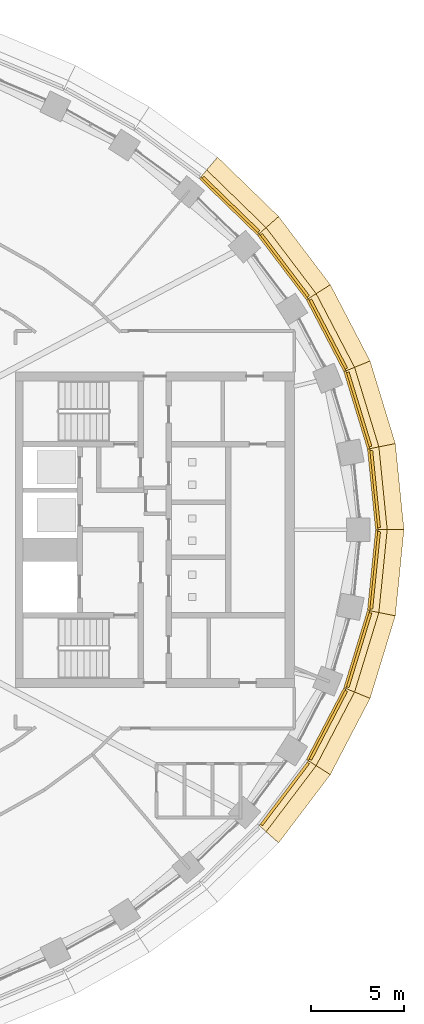
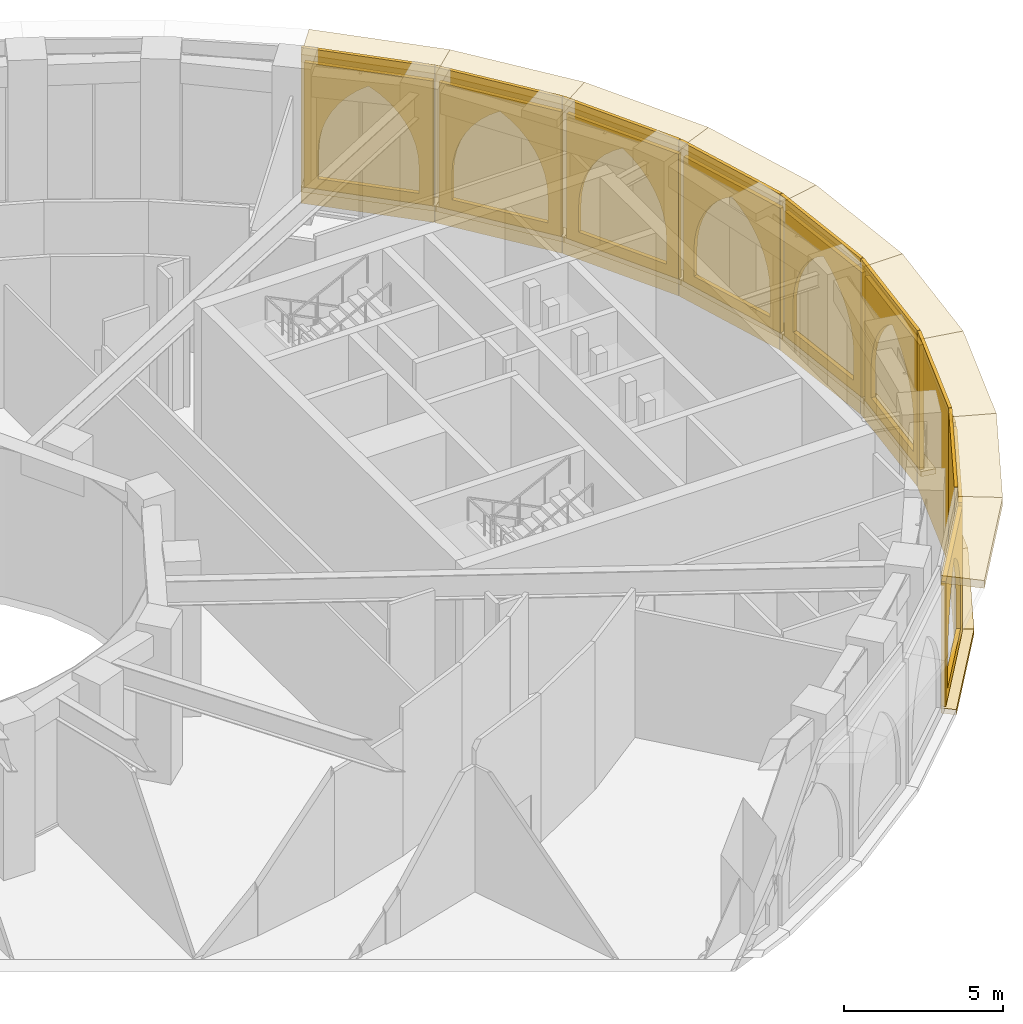
# One storey, part 22 of 23: 35 coverings.
"""IFC4 building model written with IfcOpenShell, lengths in metres."""

from ifc_helpers import new_model, si_unit, direction, frame, origin, origin_2d, place, context, subcontext, project, spatial, polyline, rectangle, outline, extrude, material, layer, layer_set, type_object, element, save


model = new_model("IFC4")

# Units and contexts
model_context = context("Model", 3, precision=1e-05, world=origin(), true_north=direction((0.0, 1.0)))
body_context = subcontext(model_context, "Body", "Model", "MODEL_VIEW")
ifc_project = project(units=[si_unit("LENGTHUNIT", "METRE"), si_unit("AREAUNIT", "SQUARE_METRE"), si_unit("VOLUMEUNIT", "CUBIC_METRE"), si_unit("PLANEANGLEUNIT", "RADIAN"), si_unit("MASSUNIT", "GRAM", prefix="KILO")], contexts=[model_context])

# Site, building, storey
site_placement = place(None, origin())
site = spatial("IfcSite", under=ifc_project, at=site_placement, CompositionType="ELEMENT")
building_placement = place(site_placement, origin())
building = spatial("IfcBuilding", under=site, at=building_placement, Name="Noorbagh Ring Tower", CompositionType="ELEMENT")
storey_placement = place(building_placement, frame((0.0, 0.0, 140.0)))
storey = spatial("IfcBuildingStorey", under=building, at=storey_placement, Name="L32", CompositionType="ELEMENT", Elevation=140.0)

# Coverings
ifc_material_1 = material(Name="Aluminium 6063-T6 black anodised", Category="aluminium")
ifc_layer_1 = layer(ifc_material_1, 0.1201171875)
ifc_layer_set_1 = layer_set([ifc_layer_1], Name="Aluminium 6063-T6 black anodised")
covering_type_1 = type_object("IfcCoveringType", Name="ENV-LOUVRE-BAND", PredefinedType="CLADDING", material=ifc_layer_set_1)
covering_1_placement = place(storey_placement, frame((35.720947265625, 2.17333984375, -0.300048828125), z_axis=(0.0, 0.0, 1.0), x_axis=(-0.100178263068, 0.994969504864, 0.0)))
element("IfcCovering", 1, at=covering_1_placement, inside=storey, type_object=covering_type_1, Name="Louvre screen chord 01", ObjectType="LOUVRE", PredefinedType="CLADDING", context=body_context, shape_type="SweptSolid", body=[
    extrude(rectangle(XDim=4.34423828125, YDim=0.1201171875, at=origin_2d()), origin(), (0.0, 0.0, 1.0), 6.0),
])
covering_2_placement = place(storey_placement, frame((34.86376953125, 6.436279296875, -0.300048828125), z_axis=(0.0, 0.0, 1.0), x_axis=(-0.292170066961, 0.95636637957, 0.0)))
element("IfcCovering", 2, at=covering_2_placement, inside=storey, type_object=covering_type_1, Name="Louvre screen chord 02", ObjectType="LOUVRE", PredefinedType="CLADDING", context=body_context, shape_type="SweptSolid", body=[
    extrude(rectangle(XDim=4.344970703125, YDim=0.1201171875, at=origin_2d()), origin(), (0.0, 0.0, 1.0), 6.0),
])
covering_3_placement = place(storey_placement, frame((33.21484375, 10.464111328125, -0.300048828125), z_axis=(0.0, 0.0, 1.0), x_axis=(-0.462278064231, 0.88673501754, 0.0)))
element("IfcCovering", 3, at=covering_3_placement, inside=storey, type_object=covering_type_1, Name="Louvre screen chord 03", ObjectType="LOUVRE", PredefinedType="CLADDING", context=body_context, shape_type="SweptSolid", body=[
    extrude(rectangle(XDim=4.345947265625, YDim=0.1201171875, at=origin_2d()), origin(), (0.0, 0.0, 1.0), 6.0),
])
covering_4_placement = place(storey_placement, frame((30.883544921875, 14.145263671875, -0.300048828125), z_axis=(0.0, 0.0, 1.0), x_axis=(-0.604020184358, 0.796969018776, 0.0)))
element("IfcCovering", 4, at=covering_4_placement, inside=storey, type_object=covering_type_1, Name="Louvre screen chord 04", ObjectType="LOUVRE", PredefinedType="CLADDING", context=body_context, shape_type="SweptSolid", body=[
    extrude(rectangle(XDim=4.346923828125, YDim=0.1201171875, at=origin_2d()), origin(), (0.0, 0.0, 1.0), 6.0),
])
covering_5_placement = place(storey_placement, frame((27.993408203125, 17.41259765625, -0.300048828125), z_axis=(0.0, 0.0, 1.0), x_axis=(-0.717224548362, 0.696842125038, 0.0)))
element("IfcCovering", 5, at=covering_5_placement, inside=storey, type_object=covering_type_1, Name="Louvre screen chord 05", ObjectType="LOUVRE", PredefinedType="CLADDING", context=body_context, shape_type="SweptSolid", body=[
    extrude(rectangle(XDim=4.347900390625, YDim=0.1201171875, at=origin_2d()), origin(), (0.0, 0.0, 1.0), 6.0),
])
covering_6_placement = place(storey_placement, frame((33.21484375, -10.464111328125, -0.300048828125), z_axis=(0.0, 0.0, 1.0), x_axis=(0.462278064231, 0.88673501754, 0.0)))
element("IfcCovering", 6, at=covering_6_placement, inside=storey, type_object=covering_type_1, Name="Louvre screen chord 44", ObjectType="LOUVRE", PredefinedType="CLADDING", context=body_context, shape_type="SweptSolid", body=[
    extrude(rectangle(XDim=4.345947265625, YDim=0.1201171875, at=origin_2d()), origin(), (0.0, 0.0, 1.0), 6.0),
])
covering_7_placement = place(storey_placement, frame((34.86376953125, -6.436279296875, -0.300048828125), z_axis=(0.0, 0.0, 1.0), x_axis=(0.292170066961, 0.95636637957, 0.0)))
element("IfcCovering", 7, at=covering_7_placement, inside=storey, type_object=covering_type_1, Name="Louvre screen chord 45", ObjectType="LOUVRE", PredefinedType="CLADDING", context=body_context, shape_type="SweptSolid", body=[
    extrude(rectangle(XDim=4.344970703125, YDim=0.1201171875, at=origin_2d()), origin(), (0.0, 0.0, 1.0), 6.0),
])
covering_8_placement = place(storey_placement, frame((35.720947265625, -2.17333984375, -0.300048828125), z_axis=(0.0, 0.0, 1.0), x_axis=(0.100178263068, 0.994969504864, 0.0)))
element("IfcCovering", 8, at=covering_8_placement, inside=storey, type_object=covering_type_1, Name="Louvre screen chord 46", ObjectType="LOUVRE", PredefinedType="CLADDING", context=body_context, shape_type="SweptSolid", body=[
    extrude(rectangle(XDim=4.34423828125, YDim=0.1201171875, at=origin_2d()), origin(), (0.0, 0.0, 1.0), 6.0),
])
ifc_material_2 = material(Name="Red sandstone cladding", Category="masonry")
ifc_layer_2 = layer(ifc_material_2, 0.14990234375)
ifc_layer_set_2 = layer_set([ifc_layer_2], Name="Red sandstone cladding")
covering_type_2 = type_object("IfcCoveringType", Name="STYLE-BAND-ARCADE", PredefinedType="USERDEFINED", material=ifc_layer_set_2)
covering_9_placement = place(storey_placement, frame((36.13916015625, 0.114501953125, 0.25), z_axis=(0.99497222215, 0.100151271334, 0.0), x_axis=(-0.100151271334, 0.99497222215, 0.0)))
element("IfcCovering", 9, at=covering_9_placement, inside=storey, type_object=covering_type_2, Name="Blind arch bay of the band", ObjectType="ARCH", PredefinedType="USERDEFINED", context=body_context, shape_type="SweptSolid", body=[
    extrude(outline(polyline([(0.0, 0.0), (4.1806640625, 0.0), (4.1806640625, 4.800048828125), (0.0, 4.800048828125), (0.0, 0.0)]), holes=[polyline([(0.449951171875, 0.39990234375), (0.449951171875, 1.408935546875), (0.47802734375, 1.837158203125), (0.561767578125, 2.258056640625), (0.69970703125, 2.664306640625), (0.889404296875, 3.04931640625), (1.1279296875, 3.406005859375), (1.410888671875, 3.728759765625), (1.7333984375, 4.01171875), (2.09033203125, 4.25), (2.447265625, 4.01171875), (2.769775390625, 3.728759765625), (3.052734375, 3.406005859375), (3.291259765625, 3.04931640625), (3.48095703125, 2.664306640625), (3.618896484375, 2.258056640625), (3.70263671875, 1.837158203125), (3.730712890625, 1.408935546875), (3.730712890625, 0.39990234375), (0.449951171875, 0.39990234375)])]), origin(), (0.0, 0.0, -1.0), 0.14990234375),
])
covering_10_placement = place(storey_placement, frame((35.67529296875, 4.498046875, 0.25), z_axis=(0.956367886414, 0.292165134531, 0.0), x_axis=(-0.292165134531, 0.956367886414, 0.0)))
element("IfcCovering", 10, at=covering_10_placement, inside=storey, type_object=covering_type_2, Name="Blind arch bay of the band", ObjectType="ARCH", PredefinedType="USERDEFINED", context=body_context, shape_type="SweptSolid", body=[
    extrude(outline(polyline([(0.0, 0.0), (4.181396484375, 0.0), (4.181396484375, 4.800048828125), (0.0, 4.800048828125), (0.0, 0.0)]), holes=[polyline([(0.449951171875, 0.39990234375), (0.449951171875, 1.408447265625), (0.47802734375, 1.836669921875), (0.561767578125, 2.257568359375), (0.69970703125, 2.6640625), (0.8896484375, 3.049072265625), (1.128173828125, 3.406005859375), (1.4111328125, 3.728515625), (1.73388671875, 4.01171875), (2.0908203125, 4.25), (2.447509765625, 4.01171875), (2.770263671875, 3.728515625), (3.05322265625, 3.406005859375), (3.291748046875, 3.049072265625), (3.4814453125, 2.6640625), (3.619384765625, 2.257568359375), (3.703125, 1.836669921875), (3.731201171875, 1.408447265625), (3.731201171875, 0.39990234375), (0.449951171875, 0.39990234375)])]), origin(), (0.0, 0.0, -1.0), 0.14990234375),
])
covering_11_placement = place(storey_placement, frame((34.367919921875, 8.706787109375, 0.25), z_axis=(0.886709716342, 0.462326593379, 0.0), x_axis=(-0.462326593379, 0.886709716342, 0.0)))
element("IfcCovering", 11, at=covering_11_placement, inside=storey, type_object=covering_type_2, Name="Blind arch bay of the band", ObjectType="ARCH", PredefinedType="USERDEFINED", context=body_context, shape_type="SweptSolid", body=[
    extrude(outline(polyline([(0.0, 0.0), (4.182373046875, 0.0), (4.182373046875, 4.800048828125), (0.0, 4.800048828125), (0.0, 0.0)]), holes=[polyline([(0.449951171875, 0.39990234375), (0.449951171875, 1.407470703125), (0.47802734375, 1.8359375), (0.561767578125, 2.257080078125), (0.699951171875, 2.66357421875), (0.8896484375, 3.048583984375), (1.12841796875, 3.40576171875), (1.411376953125, 3.728515625), (1.734130859375, 4.01171875), (2.09130859375, 4.25), (2.447998046875, 4.01171875), (2.77099609375, 3.728515625), (3.053955078125, 3.40576171875), (3.29248046875, 3.048583984375), (3.482421875, 2.66357421875), (3.62060546875, 2.257080078125), (3.7041015625, 1.8359375), (3.732421875, 1.407470703125), (3.732421875, 0.39990234375), (0.449951171875, 0.39990234375)])]), origin(), (0.0, 0.0, -1.0), 0.14990234375),
])
covering_12_placement = place(storey_placement, frame((32.314453125, 12.60498046875, 0.25), z_axis=(0.796985737541, 0.603998124299, 0.0), x_axis=(-0.603998124299, 0.796985737541, 0.0)))
element("IfcCovering", 12, at=covering_12_placement, inside=storey, type_object=covering_type_2, Name="Blind arch bay of the band", ObjectType="ARCH", PredefinedType="USERDEFINED", context=body_context, shape_type="SweptSolid", body=[
    extrude(outline(polyline([(0.0, 0.0), (4.18359375, 0.0), (4.18359375, 4.800048828125), (0.0, 4.800048828125), (0.0, 0.0)]), holes=[polyline([(0.449951171875, 0.39990234375), (0.449951171875, 1.406494140625), (0.47802734375, 1.835205078125), (0.56201171875, 2.25634765625), (0.699951171875, 2.6630859375), (0.889892578125, 3.04833984375), (1.12841796875, 3.405517578125), (1.41162109375, 3.728271484375), (1.734619140625, 4.011474609375), (2.091796875, 4.25), (2.44873046875, 4.011474609375), (2.771728515625, 3.728271484375), (3.054931640625, 3.405517578125), (3.29345703125, 3.04833984375), (3.4833984375, 2.6630859375), (3.62158203125, 2.25634765625), (3.705322265625, 1.835205078125), (3.7333984375, 1.406494140625), (3.7333984375, 0.39990234375), (0.449951171875, 0.39990234375)])]), origin(), (0.0, 0.0, -1.0), 0.14990234375),
])
covering_13_placement = place(storey_placement, frame((29.640380859375, 16.10546875, 0.25), z_axis=(0.696851724238, 0.717215221831, 0.0), x_axis=(-0.717215221831, 0.696851724238, 0.0)))
element("IfcCovering", 13, at=covering_13_placement, inside=storey, type_object=covering_type_2, Name="Blind arch bay of the band", ObjectType="ARCH", PredefinedType="USERDEFINED", context=body_context, shape_type="SweptSolid", body=[
    extrude(outline(polyline([(0.0, 0.0), (4.184326171875, 0.0), (4.184326171875, 4.800048828125), (0.0, 4.800048828125), (0.0, 0.0)]), holes=[polyline([(0.449951171875, 0.39990234375), (0.449951171875, 1.40576171875), (0.47802734375, 1.83447265625), (0.56201171875, 2.255859375), (0.699951171875, 2.66259765625), (0.889892578125, 3.048095703125), (1.128662109375, 3.4052734375), (1.411865234375, 3.728271484375), (1.73486328125, 4.011474609375), (2.092041015625, 4.25), (2.44921875, 4.011474609375), (2.772216796875, 3.728271484375), (3.0556640625, 3.4052734375), (3.294189453125, 3.048095703125), (3.484130859375, 2.66259765625), (3.622314453125, 2.255859375), (3.706298828125, 1.83447265625), (3.734130859375, 1.40576171875), (3.734130859375, 0.39990234375), (0.449951171875, 0.39990234375)])]), origin(), (0.0, 0.0, -1.0), 0.14990234375),
])
covering_14_placement = place(storey_placement, frame((29.78759765625, -15.939208984375, 0.25), z_axis=(0.796985737541, -0.603998124299, 0.0), x_axis=(0.603998124299, 0.796985737541, 0.0)))
element("IfcCovering", 14, at=covering_14_placement, inside=storey, type_object=covering_type_2, Name="Blind arch bay of the band", ObjectType="ARCH", PredefinedType="USERDEFINED", context=body_context, shape_type="SweptSolid", body=[
    extrude(outline(polyline([(0.0, 0.0), (4.18359375, 0.0), (4.18359375, 4.800048828125), (0.0, 4.800048828125), (0.0, 0.0)]), holes=[polyline([(0.449951171875, 0.39990234375), (0.449951171875, 1.406494140625), (0.47802734375, 1.835205078125), (0.56201171875, 2.25634765625), (0.699951171875, 2.6630859375), (0.889892578125, 3.04833984375), (1.12841796875, 3.405517578125), (1.41162109375, 3.728271484375), (1.734619140625, 4.011474609375), (2.091796875, 4.25), (2.44873046875, 4.011474609375), (2.771728515625, 3.728271484375), (3.054931640625, 3.405517578125), (3.29345703125, 3.04833984375), (3.4833984375, 2.6630859375), (3.62158203125, 2.25634765625), (3.705322265625, 1.835205078125), (3.7333984375, 1.406494140625), (3.7333984375, 0.39990234375), (0.449951171875, 0.39990234375)])]), origin(), (0.0, 0.0, -1.0), 0.14990234375),
])
covering_15_placement = place(storey_placement, frame((32.434326171875, -12.415283203125, 0.25), z_axis=(0.886709716342, -0.462326593379, 0.0), x_axis=(0.462326593379, 0.886709716342, 0.0)))
element("IfcCovering", 15, at=covering_15_placement, inside=storey, type_object=covering_type_2, Name="Blind arch bay of the band", ObjectType="ARCH", PredefinedType="USERDEFINED", context=body_context, shape_type="SweptSolid", body=[
    extrude(outline(polyline([(0.0, 0.0), (4.182373046875, 0.0), (4.182373046875, 4.800048828125), (0.0, 4.800048828125), (0.0, 0.0)]), holes=[polyline([(0.449951171875, 0.39990234375), (0.449951171875, 1.407470703125), (0.47802734375, 1.8359375), (0.561767578125, 2.257080078125), (0.699951171875, 2.66357421875), (0.8896484375, 3.048583984375), (1.12841796875, 3.40576171875), (1.411376953125, 3.728515625), (1.734130859375, 4.01171875), (2.09130859375, 4.25), (2.447998046875, 4.01171875), (2.77099609375, 3.728515625), (3.053955078125, 3.40576171875), (3.29248046875, 3.048583984375), (3.482421875, 2.66357421875), (3.62060546875, 2.257080078125), (3.7041015625, 1.8359375), (3.732421875, 1.407470703125), (3.732421875, 0.39990234375), (0.449951171875, 0.39990234375)])]), origin(), (0.0, 0.0, -1.0), 0.14990234375),
])
covering_16_placement = place(storey_placement, frame((34.45361328125, -8.4970703125, 0.25), z_axis=(0.956367886414, -0.292165134531, 0.0), x_axis=(0.292165134531, 0.956367886414, 0.0)))
element("IfcCovering", 16, at=covering_16_placement, inside=storey, type_object=covering_type_2, Name="Blind arch bay of the band", ObjectType="ARCH", PredefinedType="USERDEFINED", context=body_context, shape_type="SweptSolid", body=[
    extrude(outline(polyline([(0.0, 0.0), (4.181396484375, 0.0), (4.181396484375, 4.800048828125), (0.0, 4.800048828125), (0.0, 0.0)]), holes=[polyline([(0.449951171875, 0.39990234375), (0.449951171875, 1.408447265625), (0.47802734375, 1.836669921875), (0.561767578125, 2.257568359375), (0.69970703125, 2.6640625), (0.8896484375, 3.049072265625), (1.128173828125, 3.406005859375), (1.4111328125, 3.728515625), (1.73388671875, 4.01171875), (2.0908203125, 4.25), (2.447509765625, 4.01171875), (2.770263671875, 3.728515625), (3.05322265625, 3.406005859375), (3.291748046875, 3.049072265625), (3.4814453125, 2.6640625), (3.619384765625, 2.257568359375), (3.703125, 1.836669921875), (3.731201171875, 1.408447265625), (3.731201171875, 0.39990234375), (0.449951171875, 0.39990234375)])]), origin(), (0.0, 0.0, -1.0), 0.14990234375),
])
covering_17_placement = place(storey_placement, frame((35.720458984375, -4.274169921875, 0.25), z_axis=(0.99497222215, -0.100151271334, 0.0), x_axis=(0.100151271334, 0.99497222215, 0.0)))
element("IfcCovering", 17, at=covering_17_placement, inside=storey, type_object=covering_type_2, Name="Blind arch bay of the band", ObjectType="ARCH", PredefinedType="USERDEFINED", context=body_context, shape_type="SweptSolid", body=[
    extrude(outline(polyline([(0.0, 0.0), (4.1806640625, 0.0), (4.1806640625, 4.800048828125), (0.0, 4.800048828125), (0.0, 0.0)]), holes=[polyline([(0.449951171875, 0.39990234375), (0.449951171875, 1.408935546875), (0.47802734375, 1.837158203125), (0.561767578125, 2.258056640625), (0.69970703125, 2.664306640625), (0.889404296875, 3.04931640625), (1.1279296875, 3.406005859375), (1.410888671875, 3.728759765625), (1.7333984375, 4.01171875), (2.09033203125, 4.25), (2.447265625, 4.01171875), (2.769775390625, 3.728759765625), (3.052734375, 3.406005859375), (3.291259765625, 3.04931640625), (3.48095703125, 2.664306640625), (3.618896484375, 2.258056640625), (3.70263671875, 1.837158203125), (3.730712890625, 1.408935546875), (3.730712890625, 0.39990234375), (0.449951171875, 0.39990234375)])]), origin(), (0.0, 0.0, -1.0), 0.14990234375),
])
ifc_material_3 = material(Name="Red sandstone eave", Category="masonry")
covering_type_3 = type_object("IfcCoveringType", Name="STYLE-BAND-EAVE", PredefinedType="USERDEFINED", material=ifc_material_3)
covering_18_placement = place(storey_placement, frame((0.0, 0.0, 5.050048828125)))
element("IfcCovering", 18, at=covering_18_placement, inside=storey, type_object=covering_type_3, Name="Chhajja eave", ObjectType="CHHAJJA", PredefinedType="USERDEFINED", context=body_context, shape_type="SweptSolid", body=[
    extrude(outline(polyline([(36.0, 0.0), (35.561279296875, 4.358642578125), (36.940185546875, 4.635986328125), (37.406982421875, 0.0), (36.0, 0.0)])), origin(), (0.0, 0.0, 1.0), 0.300048828125),
])
covering_19_placement = place(storey_placement, frame((0.0, 0.0, 5.050048828125)))
element("IfcCovering", 19, at=covering_19_placement, inside=storey, type_object=covering_type_3, Name="Chhajja eave", ObjectType="CHHAJJA", PredefinedType="USERDEFINED", context=body_context, shape_type="SweptSolid", body=[
    extrude(outline(polyline([(35.561279296875, 4.358642578125), (34.281005859375, 8.548828125), (35.582275390625, 9.081298828125), (36.940185546875, 4.635986328125), (35.561279296875, 4.358642578125)])), origin(), (0.0, 0.0, 1.0), 0.300048828125),
])
covering_20_placement = place(storey_placement, frame((0.0, 0.0, 5.050048828125)))
element("IfcCovering", 20, at=covering_20_placement, inside=storey, type_object=covering_type_3, Name="Chhajja eave", ObjectType="CHHAJJA", PredefinedType="USERDEFINED", context=body_context, shape_type="SweptSolid", body=[
    extrude(outline(polyline([(34.281005859375, 8.548828125), (32.255126953125, 12.434814453125), (33.442138671875, 13.186279296875), (35.582275390625, 9.081298828125), (34.281005859375, 8.548828125)])), origin(), (0.0, 0.0, 1.0), 0.300048828125),
])
covering_21_placement = place(storey_placement, frame((0.0, 0.0, 5.050048828125)))
element("IfcCovering", 21, at=covering_21_placement, inside=storey, type_object=covering_type_3, Name="Chhajja eave", ObjectType="CHHAJJA", PredefinedType="USERDEFINED", context=body_context, shape_type="SweptSolid", body=[
    extrude(outline(polyline([(32.255126953125, 12.434814453125), (29.607666015625, 15.927978515625), (30.6591796875, 16.8583984375), (33.442138671875, 13.186279296875), (32.255126953125, 12.434814453125)])), origin(), (0.0, 0.0, 1.0), 0.300048828125),
])
covering_22_placement = place(storey_placement, frame((0.0, 0.0, 5.050048828125)))
element("IfcCovering", 22, at=covering_22_placement, inside=storey, type_object=covering_type_3, Name="Chhajja eave", ObjectType="CHHAJJA", PredefinedType="USERDEFINED", context=body_context, shape_type="SweptSolid", body=[
    extrude(outline(polyline([(29.607666015625, 15.927978515625), (26.463134765625, 18.9833984375), (27.3701171875, 20.053955078125), (30.6591796875, 16.8583984375), (29.607666015625, 15.927978515625)])), origin(), (0.0, 0.0, 1.0), 0.300048828125),
])
covering_23_placement = place(storey_placement, frame((0.0, 0.0, 5.050048828125)))
element("IfcCovering", 23, at=covering_23_placement, inside=storey, type_object=covering_type_3, Name="Chhajja eave", ObjectType="CHHAJJA", PredefinedType="USERDEFINED", context=body_context, shape_type="SweptSolid", body=[
    extrude(outline(polyline([(29.607666015625, -15.927978515625), (32.255126953125, -12.434814453125), (33.442138671875, -13.186279296875), (30.6591796875, -16.8583984375), (29.607666015625, -15.927978515625)])), origin(), (0.0, 0.0, 1.0), 0.300048828125),
])
covering_24_placement = place(storey_placement, frame((0.0, 0.0, 5.050048828125)))
element("IfcCovering", 24, at=covering_24_placement, inside=storey, type_object=covering_type_3, Name="Chhajja eave", ObjectType="CHHAJJA", PredefinedType="USERDEFINED", context=body_context, shape_type="SweptSolid", body=[
    extrude(outline(polyline([(32.255126953125, -12.434814453125), (34.281005859375, -8.548828125), (35.582275390625, -9.081298828125), (33.442138671875, -13.186279296875), (32.255126953125, -12.434814453125)])), origin(), (0.0, 0.0, 1.0), 0.300048828125),
])
covering_25_placement = place(storey_placement, frame((0.0, 0.0, 5.050048828125)))
element("IfcCovering", 25, at=covering_25_placement, inside=storey, type_object=covering_type_3, Name="Chhajja eave", ObjectType="CHHAJJA", PredefinedType="USERDEFINED", context=body_context, shape_type="SweptSolid", body=[
    extrude(outline(polyline([(34.281005859375, -8.548828125), (35.561279296875, -4.358642578125), (36.940185546875, -4.635986328125), (35.582275390625, -9.081298828125), (34.281005859375, -8.548828125)])), origin(), (0.0, 0.0, 1.0), 0.300048828125),
])
covering_26_placement = place(storey_placement, frame((0.0, 0.0, 5.050048828125)))
element("IfcCovering", 26, at=covering_26_placement, inside=storey, type_object=covering_type_3, Name="Chhajja eave", ObjectType="CHHAJJA", PredefinedType="USERDEFINED", context=body_context, shape_type="SweptSolid", body=[
    extrude(outline(polyline([(35.561279296875, -4.358642578125), (36.0, 0.0), (37.406982421875, 0.0), (36.940185546875, -4.635986328125), (35.561279296875, -4.358642578125)])), origin(), (0.0, 0.0, 1.0), 0.300048828125),
])
ifc_material_4 = material(Name="Red sandstone eave", Category="masonry")
covering_type_4 = type_object("IfcCoveringType", Name="STYLE-BAND-SILL", PredefinedType="USERDEFINED", material=ifc_material_4)
covering_27_placement = place(storey_placement, frame((0.0, 0.0, 0.050048828125)))
element("IfcCovering", 27, at=covering_27_placement, inside=storey, type_object=covering_type_4, Name="Sill ledge", ObjectType="CHHAJJA", PredefinedType="USERDEFINED", context=body_context, shape_type="SweptSolid", body=[
    extrude(outline(polyline([(36.0, 0.0), (35.561279296875, 4.358642578125), (36.0537109375, 4.457763671875), (36.50244140625, 0.0), (36.0, 0.0)])), origin(), (0.0, 0.0, 1.0), 0.199951171875),
])
covering_28_placement = place(storey_placement, frame((0.0, 0.0, 0.050048828125)))
element("IfcCovering", 28, at=covering_28_placement, inside=storey, type_object=covering_type_4, Name="Sill ledge", ObjectType="CHHAJJA", PredefinedType="USERDEFINED", context=body_context, shape_type="SweptSolid", body=[
    extrude(outline(polyline([(35.561279296875, 4.358642578125), (34.281005859375, 8.548828125), (34.745849609375, 8.739013671875), (36.0537109375, 4.457763671875), (35.561279296875, 4.358642578125)])), origin(), (0.0, 0.0, 1.0), 0.199951171875),
])
covering_29_placement = place(storey_placement, frame((0.0, 0.0, 0.050048828125)))
element("IfcCovering", 29, at=covering_29_placement, inside=storey, type_object=covering_type_4, Name="Sill ledge", ObjectType="CHHAJJA", PredefinedType="USERDEFINED", context=body_context, shape_type="SweptSolid", body=[
    extrude(outline(polyline([(34.281005859375, 8.548828125), (32.255126953125, 12.434814453125), (32.67919921875, 12.703125), (34.745849609375, 8.739013671875), (34.281005859375, 8.548828125)])), origin(), (0.0, 0.0, 1.0), 0.199951171875),
])
covering_30_placement = place(storey_placement, frame((0.0, 0.0, 0.050048828125)))
element("IfcCovering", 30, at=covering_30_placement, inside=storey, type_object=covering_type_4, Name="Sill ledge", ObjectType="CHHAJJA", PredefinedType="USERDEFINED", context=body_context, shape_type="SweptSolid", body=[
    extrude(outline(polyline([(32.255126953125, 12.434814453125), (29.607666015625, 15.927978515625), (29.983154296875, 16.260498046875), (32.67919921875, 12.703125), (32.255126953125, 12.434814453125)])), origin(), (0.0, 0.0, 1.0), 0.199951171875),
])
covering_31_placement = place(storey_placement, frame((0.0, 0.0, 0.050048828125)))
element("IfcCovering", 31, at=covering_31_placement, inside=storey, type_object=covering_type_4, Name="Sill ledge", ObjectType="CHHAJJA", PredefinedType="USERDEFINED", context=body_context, shape_type="SweptSolid", body=[
    extrude(outline(polyline([(29.607666015625, 15.927978515625), (26.463134765625, 18.9833984375), (26.787109375, 19.365478515625), (29.983154296875, 16.260498046875), (29.607666015625, 15.927978515625)])), origin(), (0.0, 0.0, 1.0), 0.199951171875),
])
covering_32_placement = place(storey_placement, frame((0.0, 0.0, 0.050048828125)))
element("IfcCovering", 32, at=covering_32_placement, inside=storey, type_object=covering_type_4, Name="Sill ledge", ObjectType="CHHAJJA", PredefinedType="USERDEFINED", context=body_context, shape_type="SweptSolid", body=[
    extrude(outline(polyline([(29.607666015625, -15.927978515625), (32.255126953125, -12.434814453125), (32.67919921875, -12.703125), (29.983154296875, -16.260498046875), (29.607666015625, -15.927978515625)])), origin(), (0.0, 0.0, 1.0), 0.199951171875),
])
covering_33_placement = place(storey_placement, frame((0.0, 0.0, 0.050048828125)))
element("IfcCovering", 33, at=covering_33_placement, inside=storey, type_object=covering_type_4, Name="Sill ledge", ObjectType="CHHAJJA", PredefinedType="USERDEFINED", context=body_context, shape_type="SweptSolid", body=[
    extrude(outline(polyline([(32.255126953125, -12.434814453125), (34.281005859375, -8.548828125), (34.745849609375, -8.739013671875), (32.67919921875, -12.703125), (32.255126953125, -12.434814453125)])), origin(), (0.0, 0.0, 1.0), 0.199951171875),
])
covering_34_placement = place(storey_placement, frame((0.0, 0.0, 0.050048828125)))
element("IfcCovering", 34, at=covering_34_placement, inside=storey, type_object=covering_type_4, Name="Sill ledge", ObjectType="CHHAJJA", PredefinedType="USERDEFINED", context=body_context, shape_type="SweptSolid", body=[
    extrude(outline(polyline([(34.281005859375, -8.548828125), (35.561279296875, -4.358642578125), (36.0537109375, -4.457763671875), (34.745849609375, -8.739013671875), (34.281005859375, -8.548828125)])), origin(), (0.0, 0.0, 1.0), 0.199951171875),
])
covering_35_placement = place(storey_placement, frame((0.0, 0.0, 0.050048828125)))
element("IfcCovering", 35, at=covering_35_placement, inside=storey, type_object=covering_type_4, Name="Sill ledge", ObjectType="CHHAJJA", PredefinedType="USERDEFINED", context=body_context, shape_type="SweptSolid", body=[
    extrude(outline(polyline([(35.561279296875, -4.358642578125), (36.0, 0.0), (36.50244140625, 0.0), (36.0537109375, -4.457763671875), (35.561279296875, -4.358642578125)])), origin(), (0.0, 0.0, 1.0), 0.199951171875),
])

save(model, "model.ifc")
